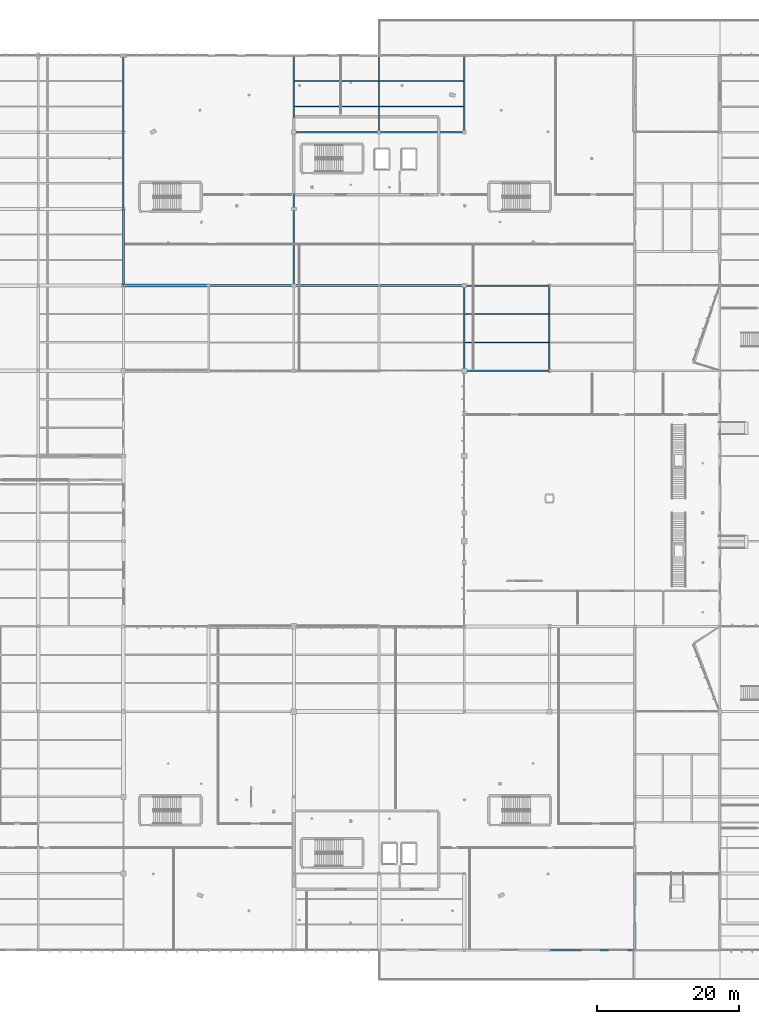
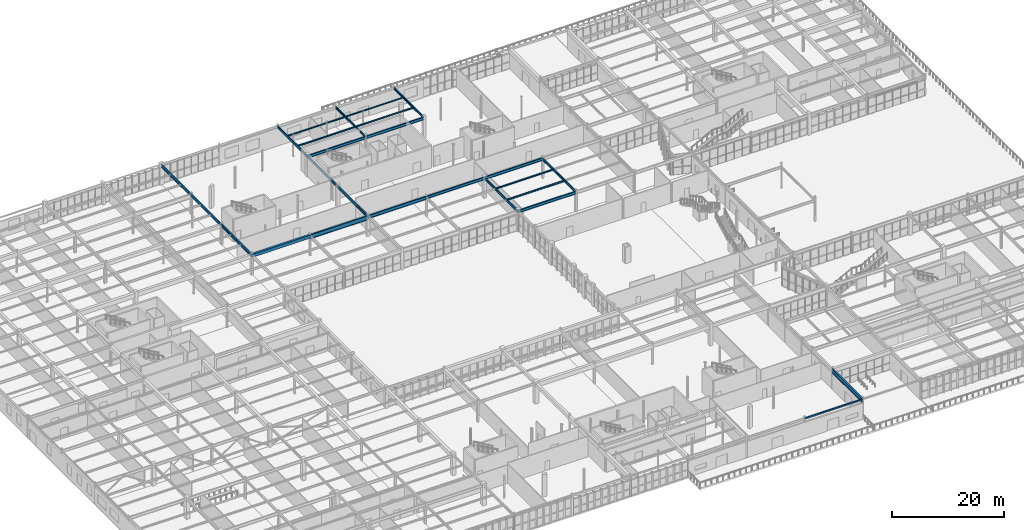
# One storey, part 87 of 199: 26 beams.
"""IFC4 building model written with IfcOpenShell, lengths in metres."""

from ifc_helpers import new_model, si_unit, direction, frame, origin, origin_2d, place, context, subcontext, project, spatial, rectangle, hollow_rectangle, i_section, extrude, material, material_profile, profile_set, type_object, element, save


model = new_model("IFC4")

# Units and contexts
model_context = context("Model", 3, precision=1e-05, world=origin(), true_north=direction((0.0, 1.0)))
body_context = subcontext(model_context, "Body", "Model", "MODEL_VIEW")
ifc_project = project(units=[si_unit("LENGTHUNIT", "METRE"), si_unit("AREAUNIT", "SQUARE_METRE"), si_unit("VOLUMEUNIT", "CUBIC_METRE"), si_unit("PLANEANGLEUNIT", "RADIAN"), si_unit("MASSUNIT", "GRAM", prefix="KILO")], contexts=[model_context])

# Site, building, storey
site_placement = place(None, origin())
site = spatial("IfcSite", under=ifc_project, at=site_placement, CompositionType="ELEMENT")
building_placement = place(site_placement, origin())
building = spatial("IfcBuilding", under=site, at=building_placement, Name="Tarnwether General Hospital", CompositionType="ELEMENT")
storey_placement = place(building_placement, origin())
storey = spatial("IfcBuildingStorey", under=building, at=storey_placement, Name="L00", CompositionType="ELEMENT", Elevation=0.0)

# Beams
ifc_material_1 = material(Name="Steel Grade 350 (350 MPa)", Category="steel")
ifc_material_profile_1 = material_profile(ifc_material_1, i_section(OverallWidth=0.300048828125, OverallDepth=0.89990234375, WebThickness=0.011962890625, FlangeThickness=0.02001953125, at=origin_2d()), Name="900WB175")
ifc_profile_set_1 = profile_set([ifc_material_profile_1], Name="Steel Grade 350 (350 MPa)")
beam_type_1 = type_object("IfcBeamType", Name="BM-G01", PredefinedType="BEAM", material=ifc_profile_set_1)
beam_1_placement = place(storey_placement, frame((72.0, 93.60009765625, 3.9951171875), z_axis=(1.0, 0.0, 0.0), x_axis=(0.0, 1.0, 0.0)))
element("IfcBeam", 1, at=beam_1_placement, inside=storey, type_object=beam_type_1, Name="Primary Girder BMG-L00-7200_9360-8400_9360-0715", PredefinedType="BEAM", context=body_context, shape_type="SweptSolid", body=[
    extrude(i_section(OverallWidth=0.300048828125, OverallDepth=0.89990234375, WebThickness=0.011962890625, FlangeThickness=0.02001953125, at=origin_2d()), origin(), (0.0, 0.0, 1.0), 12.0),
])
beam_2_placement = place(storey_placement, frame((132.0, 0.0, 3.9951171875), z_axis=(0.0, 1.0, 0.0), x_axis=(-1.0, 0.0, 0.0)))
element("IfcBeam", 2, at=beam_2_placement, inside=storey, type_object=beam_type_1, Name="Primary Girder BMG-L00-13200_0-13200_1080-0767", PredefinedType="BEAM", context=body_context, shape_type="SweptSolid", body=[
    extrude(i_section(OverallWidth=0.300048828125, OverallDepth=0.89990234375, WebThickness=0.011962890625, FlangeThickness=0.02001953125, at=origin_2d()), origin(), (0.0, 0.0, 1.0), 10.800048828125),
])
ifc_material_2 = material(Name="Steel Grade 350 (350 MPa)", Category="steel")
ifc_material_profile_2 = material_profile(ifc_material_2, i_section(OverallWidth=0.25, OverallDepth=0.69189453125, WebThickness=0.009033203125, FlangeThickness=0.01611328125, at=origin_2d()), Name="700WB115")
ifc_profile_set_2 = profile_set([ifc_material_profile_2], Name="Steel Grade 350 (350 MPa)")
beam_type_2 = type_object("IfcBeamType", Name="BM-G02", PredefinedType="BEAM", material=ifc_profile_set_2)
beam_3_placement = place(storey_placement, frame((84.0, 93.60009765625, 4.09912109375), z_axis=(1.0, 0.0, 0.0), x_axis=(0.0, 1.0, 0.0)))
element("IfcBeam", 3, at=beam_3_placement, inside=storey, type_object=beam_type_2, Name="Primary Girder BMG-L00-8400_9360-9600_9360-0727", PredefinedType="BEAM", context=body_context, shape_type="SweptSolid", body=[
    extrude(i_section(OverallWidth=0.25, OverallDepth=0.69189453125, WebThickness=0.009033203125, FlangeThickness=0.01611328125, at=origin_2d()), origin(), (0.0, 0.0, 1.0), 12.0),
])
ifc_material_3 = material(Name="Steel Grade 350 (350 MPa)", Category="steel")
ifc_material_profile_3 = material_profile(ifc_material_3, i_section(OverallWidth=0.22900390625, OverallDepth=0.612060546875, WebThickness=0.011962890625, FlangeThickness=0.01953125, at=origin_2d()), Name="610UB125")
ifc_profile_set_3 = profile_set([ifc_material_profile_3], Name="Steel Grade 350 (350 MPa)")
beam_type_3 = type_object("IfcBeamType", Name="BM-G03", PredefinedType="BEAM", material=ifc_profile_set_3)
beam_4_placement = place(storey_placement, frame((60.0, 93.60009765625, 4.138916015625), z_axis=(0.0, 1.0, 0.0), x_axis=(-1.0, 0.0, 0.0)))
element("IfcBeam", 4, at=beam_4_placement, inside=storey, type_object=beam_type_3, Name="Primary Girder BMG-L00-6000_9360-6000_10440-0705", PredefinedType="BEAM", context=body_context, shape_type="SweptSolid", body=[
    extrude(i_section(OverallWidth=0.22900390625, OverallDepth=0.612060546875, WebThickness=0.011962890625, FlangeThickness=0.01953125, at=origin_2d()), origin(), (0.0, 0.0, 1.0), 10.7998046875),
])
for number, where, z_axis, x_axis, name in (
    (5, (96.0, 93.60009765625, 4.138916015625), (1.0, 0.0, 0.0), (0.0, 1.0, 0.0), "Primary Girder BMG-L00-9600_9360-10800_9360-0741"),
    (6, (108.0, 81.60009765625, 4.138916015625), (1.0, 0.0, 0.0), (0.0, 1.0, 0.0), "Primary Girder BMG-L00-10800_8160-12000_8160-0753"),
):
    element("IfcBeam", number, at=place(storey_placement, frame(where, z_axis=z_axis, x_axis=x_axis)), inside=storey, type_object=beam_type_3, Name=name, PredefinedType="BEAM", context=body_context, shape_type="SweptSolid", body=[
        extrude(i_section(OverallWidth=0.22900390625, OverallDepth=0.612060546875, WebThickness=0.011962890625, FlangeThickness=0.01953125, at=origin_2d()), origin(), (0.0, 0.0, 1.0), 12.0),
    ])
ifc_material_4 = material(Name="Steel Grade 350 (350 MPa)", Category="steel")
ifc_material_profile_4 = material_profile(ifc_material_4, i_section(OverallWidth=0.22802734375, OverallDepth=0.60693359375, WebThickness=0.01123046875, FlangeThickness=0.017333984375, at=origin_2d()), Name="610UB113")
ifc_profile_set_4 = profile_set([ifc_material_profile_4], Name="Steel Grade 350 (350 MPa)")
beam_type_4 = type_object("IfcBeamType", Name="BM-G04", PredefinedType="BEAM", material=ifc_profile_set_4)
beam_5_placement = place(storey_placement, frame((60.0, 104.39990234375, 4.1416015625), z_axis=(0.0, 1.0, 0.0), x_axis=(-1.0, 0.0, 0.0)))
element("IfcBeam", 7, at=beam_5_placement, inside=storey, type_object=beam_type_4, Name="Primary Girder BMG-L00-6000_10440-6000_11520-0706", PredefinedType="BEAM", context=body_context, shape_type="SweptSolid", body=[
    extrude(i_section(OverallWidth=0.22802734375, OverallDepth=0.60693359375, WebThickness=0.01123046875, FlangeThickness=0.017333984375, at=origin_2d()), origin(), (0.0, 0.0, 1.0), 10.800048828125),
])
for number, where, z_axis, x_axis, name in (
    (8, (84.0, 115.199951171875, 4.1416015625), (1.0, 0.0, 0.0), (0.0, 1.0, 0.0), "Primary Girder BMG-L00-8400_11520-9600_11520-0730"),
    (9, (108.0, 93.60009765625, 4.1416015625), (1.0, 0.0, 0.0), (0.0, 1.0, 0.0), "Primary Girder BMG-L00-10800_9360-12000_9360-0755"),
):
    element("IfcBeam", number, at=place(storey_placement, frame(where, z_axis=z_axis, x_axis=x_axis)), inside=storey, type_object=beam_type_4, Name=name, PredefinedType="BEAM", context=body_context, shape_type="SweptSolid", body=[
        extrude(i_section(OverallWidth=0.22802734375, OverallDepth=0.60693359375, WebThickness=0.01123046875, FlangeThickness=0.017333984375, at=origin_2d()), origin(), (0.0, 0.0, 1.0), 12.0),
    ])
ifc_material_5 = material(Name="Steel Grade 350 (350 MPa)", Category="steel")
ifc_material_profile_5 = material_profile(ifc_material_5, i_section(OverallWidth=0.22802734375, OverallDepth=0.60205078125, WebThickness=0.010498046875, FlangeThickness=0.014892578125, at=origin_2d()), Name="610UB101")
ifc_profile_set_5 = profile_set([ifc_material_profile_5], Name="Steel Grade 350 (350 MPa)")
beam_type_5 = type_object("IfcBeamType", Name="BM-G05", PredefinedType="BEAM", material=ifc_profile_set_5)
beam_6_placement = place(storey_placement, frame((60.0, 115.199951171875, 4.14404296875), z_axis=(0.0, 1.0, 0.0), x_axis=(-1.0, 0.0, 0.0)))
element("IfcBeam", 10, at=beam_6_placement, inside=storey, type_object=beam_type_5, Name="Primary Girder BMG-L00-6000_11520-6000_12600-0707", PredefinedType="BEAM", context=body_context, shape_type="SweptSolid", body=[
    extrude(i_section(OverallWidth=0.22802734375, OverallDepth=0.60205078125, WebThickness=0.010498046875, FlangeThickness=0.014892578125, at=origin_2d()), origin(), (0.0, 0.0, 1.0), 10.800048828125),
])
beam_7_placement = place(storey_placement, frame((84.0, 93.60009765625, 4.14404296875), z_axis=(0.0, 1.0, 0.0), x_axis=(-1.0, 0.0, 0.0)))
element("IfcBeam", 11, at=beam_7_placement, inside=storey, type_object=beam_type_5, Name="Primary Girder BMG-L00-8400_9360-8400_10440-0728", PredefinedType="BEAM", context=body_context, shape_type="SweptSolid", body=[
    extrude(i_section(OverallWidth=0.22802734375, OverallDepth=0.60205078125, WebThickness=0.010498046875, FlangeThickness=0.014892578125, at=origin_2d()), origin(), (0.0, 0.0, 1.0), 10.7998046875),
])
beam_8_placement = place(storey_placement, frame((96.0, 115.199951171875, 4.14404296875), z_axis=(1.0, 0.0, 0.0), x_axis=(0.0, 1.0, 0.0)))
element("IfcBeam", 12, at=beam_8_placement, inside=storey, type_object=beam_type_5, Name="Primary Girder BMG-L00-9600_11520-10800_11520-0742", PredefinedType="BEAM", context=body_context, shape_type="SweptSolid", body=[
    extrude(i_section(OverallWidth=0.22802734375, OverallDepth=0.60205078125, WebThickness=0.010498046875, FlangeThickness=0.014892578125, at=origin_2d()), origin(), (0.0, 0.0, 1.0), 12.0),
])
ifc_material_6 = material(Name="Steel Grade 350 (350 MPa)", Category="steel")
ifc_material_profile_6 = material_profile(ifc_material_6, i_section(OverallWidth=0.208984375, OverallDepth=0.532958984375, WebThickness=0.01025390625, FlangeThickness=0.015625, at=origin_2d()), Name="530UB92.4")
ifc_profile_set_6 = profile_set([ifc_material_profile_6], Name="Steel Grade 350 (350 MPa)")
beam_type_6 = type_object("IfcBeamType", Name="BM-G06", PredefinedType="BEAM", material=ifc_profile_set_6)
beam_9_placement = place(storey_placement, frame((84.0, 104.39990234375, 4.178466796875), z_axis=(0.0, 1.0, 0.0), x_axis=(-1.0, 0.0, 0.0)))
element("IfcBeam", 13, at=beam_9_placement, inside=storey, type_object=beam_type_6, Name="Primary Girder BMG-L00-8400_10440-8400_11520-0729", PredefinedType="BEAM", context=body_context, shape_type="SweptSolid", body=[
    extrude(i_section(OverallWidth=0.208984375, OverallDepth=0.532958984375, WebThickness=0.01025390625, FlangeThickness=0.015625, at=origin_2d()), origin(), (0.0, 0.0, 1.0), 10.800048828125),
])
beam_10_placement = place(storey_placement, frame((108.0, 81.60009765625, 4.178466796875), z_axis=(0.0, 1.0, 0.0), x_axis=(-1.0, 0.0, 0.0)))
element("IfcBeam", 14, at=beam_10_placement, inside=storey, type_object=beam_type_6, Name="Primary Girder BMG-L00-10800_8160-10800_9360-0754", PredefinedType="BEAM", context=body_context, shape_type="SweptSolid", body=[
    extrude(i_section(OverallWidth=0.208984375, OverallDepth=0.532958984375, WebThickness=0.01025390625, FlangeThickness=0.015625, at=origin_2d()), origin(), (0.0, 0.0, 1.0), 12.0),
])
ifc_material_7 = material(Name="Steel Grade 350 (350 MPa)", Category="steel")
ifc_material_profile_7 = material_profile(ifc_material_7, i_section(OverallWidth=0.208984375, OverallDepth=0.528076171875, WebThickness=0.009521484375, FlangeThickness=0.01318359375, at=origin_2d()), Name="530UB82.0")
ifc_profile_set_7 = profile_set([ifc_material_profile_7], Name="Steel Grade 350 (350 MPa)")
beam_type_7 = type_object("IfcBeamType", Name="BM-G07", PredefinedType="BEAM", material=ifc_profile_set_7)
beam_11_placement = place(storey_placement, frame((84.0, 115.199951171875, 4.180908203125), z_axis=(0.0, 1.0, 0.0), x_axis=(-1.0, 0.0, 0.0)))
element("IfcBeam", 15, at=beam_11_placement, inside=storey, type_object=beam_type_7, Name="Primary Girder BMG-L00-8400_11520-8400_12600-0731", PredefinedType="BEAM", context=body_context, shape_type="SweptSolid", body=[
    extrude(i_section(OverallWidth=0.208984375, OverallDepth=0.528076171875, WebThickness=0.009521484375, FlangeThickness=0.01318359375, at=origin_2d()), origin(), (0.0, 0.0, 1.0), 10.800048828125),
])
beam_12_placement = place(storey_placement, frame((120.0, 81.60009765625, 4.180908203125), z_axis=(0.0, 1.0, 0.0), x_axis=(-1.0, 0.0, 0.0)))
element("IfcBeam", 16, at=beam_12_placement, inside=storey, type_object=beam_type_7, Name="Primary Girder BMG-L00-12000_8160-12000_9360-0763", PredefinedType="BEAM", context=body_context, shape_type="SweptSolid", body=[
    extrude(i_section(OverallWidth=0.208984375, OverallDepth=0.528076171875, WebThickness=0.009521484375, FlangeThickness=0.01318359375, at=origin_2d()), origin(), (0.0, 0.0, 1.0), 12.0),
])
ifc_material_8 = material(Name="Steel Grade 350 (350 MPa)", Category="steel")
ifc_material_profile_8 = material_profile(ifc_material_8, i_section(OverallWidth=0.19091796875, OverallDepth=0.4599609375, WebThickness=0.010009765625, FlangeThickness=0.01611328125, at=origin_2d()), Name="460UB82.1")
ifc_profile_set_8 = profile_set([ifc_material_profile_8], Name="Steel Grade 350 (350 MPa)")
beam_type_8 = type_object("IfcBeamType", Name="BM-G08", PredefinedType="BEAM", material=ifc_profile_set_8)
beam_13_placement = place(storey_placement, frame((96.0, 115.199951171875, 4.215087890625), z_axis=(0.0, 1.0, 0.0), x_axis=(-1.0, 0.0, 0.0)))
element("IfcBeam", 17, at=beam_13_placement, inside=storey, type_object=beam_type_8, Name="Primary Girder BMG-L00-9600_11520-9600_12600-0743", PredefinedType="BEAM", context=body_context, shape_type="SweptSolid", body=[
    extrude(i_section(OverallWidth=0.19091796875, OverallDepth=0.4599609375, WebThickness=0.010009765625, FlangeThickness=0.01611328125, at=origin_2d()), origin(), (0.0, 0.0, 1.0), 10.800048828125),
])
ifc_material_9 = material(Name="Steel Grade 350 (350 MPa)", Category="steel")
ifc_material_profile_9 = material_profile(ifc_material_9, i_section(OverallWidth=0.18994140625, OverallDepth=0.45703125, WebThickness=0.009033203125, FlangeThickness=0.014404296875, at=origin_2d()), Name="460UB74.6")
ifc_profile_set_9 = profile_set([ifc_material_profile_9], Name="Steel Grade 350 (350 MPa)")
beam_type_9 = type_object("IfcBeamType", Name="BM-G09", PredefinedType="BEAM", material=ifc_profile_set_9)
beam_14_placement = place(storey_placement, frame((108.0, 115.199951171875, 4.216552734375), z_axis=(0.0, 1.0, 0.0), x_axis=(-1.0, 0.0, 0.0)))
element("IfcBeam", 18, at=beam_14_placement, inside=storey, type_object=beam_type_9, Name="Primary Girder BMG-L00-10800_11520-10800_12600-0756", PredefinedType="BEAM", context=body_context, shape_type="SweptSolid", body=[
    extrude(i_section(OverallWidth=0.18994140625, OverallDepth=0.45703125, WebThickness=0.009033203125, FlangeThickness=0.014404296875, at=origin_2d()), origin(), (0.0, 0.0, 1.0), 10.800048828125),
])
ifc_material_10 = material(Name="Concrete 40 MPa", Category="concrete")
ifc_material_profile_10 = material_profile(ifc_material_10, rectangle(XDim=0.39990234375, YDim=0.64990234375, at=origin_2d()), Name="RC-BM-400x650")
ifc_profile_set_10 = profile_set([ifc_material_profile_10], Name="Concrete 40 MPa")
beam_type_10 = type_object("IfcBeamType", Name="BM-G14", PredefinedType="BEAM", material=ifc_profile_set_10)
beam_15_placement = place(storey_placement, frame((60.0, 93.60009765625, 4.1201171875), z_axis=(1.0, 0.0, 0.0), x_axis=(0.0, 1.0, 0.0)))
element("IfcBeam", 19, at=beam_15_placement, inside=storey, type_object=beam_type_10, Name="Primary Girder BMG-L00-6000_9360-7200_9360-0704", PredefinedType="BEAM", context=body_context, shape_type="SweptSolid", body=[
    extrude(rectangle(XDim=0.39990234375, YDim=0.64990234375, at=origin_2d()), origin(), (0.0, 0.0, 1.0), 12.0),
])
ifc_material_11 = material(Name="Steel Grade 350 (350 MPa)", Category="steel")
ifc_material_profile_11 = material_profile(ifc_material_11, i_section(OverallWidth=0.1708984375, OverallDepth=0.35205078125, WebThickness=0.0068359375, FlangeThickness=0.009765625, at=origin_2d()), Name="360UB44.7")
ifc_profile_set_11 = profile_set([ifc_material_profile_11], Name="Steel Grade 350 (350 MPa)")
beam_type_11 = type_object("IfcBeamType", Name="BM-J06", PredefinedType="JOIST", material=ifc_profile_set_11)
beam_16_placement = place(storey_placement, frame((108.09912109375, 85.60009765625, 4.26904296875), z_axis=(1.0, 0.0, 0.0), x_axis=(0.0, 1.0, 0.0)))
element("IfcBeam", 20, at=beam_16_placement, inside=storey, type_object=beam_type_11, Name="Composite Floor Joist BMG-L00-10810_8560-11990_8560-0991", PredefinedType="JOIST", context=body_context, shape_type="SweptSolid", body=[
    extrude(i_section(OverallWidth=0.1708984375, OverallDepth=0.35205078125, WebThickness=0.0068359375, FlangeThickness=0.009765625, at=origin_2d()), origin(), (0.0, 0.0, 1.0), 11.8017578125),
])
ifc_material_12 = material(Name="Steel Grade 350 (350 MPa)", Category="steel")
ifc_material_profile_12 = material_profile(ifc_material_12, i_section(OverallWidth=0.1650390625, OverallDepth=0.303955078125, WebThickness=0.006103515625, FlangeThickness=0.01025390625, at=origin_2d()), Name="310UB40.4")
ifc_profile_set_12 = profile_set([ifc_material_profile_12], Name="Steel Grade 350 (350 MPa)")
beam_type_12 = type_object("IfcBeamType", Name="BM-J07", PredefinedType="JOIST", material=ifc_profile_set_12)
beam_17_placement = place(storey_placement, frame((84.09912109375, 118.800048828125, 4.29296875), z_axis=(1.0, 0.0, 0.0), x_axis=(0.0, 1.0, 0.0)))
element("IfcBeam", 21, at=beam_17_placement, inside=storey, type_object=beam_type_12, Name="Composite Floor Joist BMG-L00-8410_11880-9591_11880-0979", PredefinedType="JOIST", context=body_context, shape_type="SweptSolid", body=[
    extrude(i_section(OverallWidth=0.1650390625, OverallDepth=0.303955078125, WebThickness=0.006103515625, FlangeThickness=0.01025390625, at=origin_2d()), origin(), (0.0, 0.0, 1.0), 11.810791015625),
])
beam_18_placement = place(storey_placement, frame((108.09912109375, 89.60009765625, 4.29296875), z_axis=(1.0, 0.0, 0.0), x_axis=(0.0, 1.0, 0.0)))
element("IfcBeam", 22, at=beam_18_placement, inside=storey, type_object=beam_type_12, Name="Composite Floor Joist BMG-L00-10810_8960-11990_8960-0992", PredefinedType="JOIST", context=body_context, shape_type="SweptSolid", body=[
    extrude(i_section(OverallWidth=0.1650390625, OverallDepth=0.303955078125, WebThickness=0.006103515625, FlangeThickness=0.01025390625, at=origin_2d()), origin(), (0.0, 0.0, 1.0), 11.8017578125),
])
ifc_material_13 = material(Name="Steel Grade 350 (350 MPa)", Category="steel")
ifc_material_profile_13 = material_profile(ifc_material_13, i_section(OverallWidth=0.14892578125, OverallDepth=0.298095703125, WebThickness=0.005615234375, FlangeThickness=0.008056640625, at=origin_2d()), Name="310UB32.0")
ifc_profile_set_13 = profile_set([ifc_material_profile_13], Name="Steel Grade 350 (350 MPa)")
beam_type_13 = type_object("IfcBeamType", Name="BM-J08", PredefinedType="JOIST", material=ifc_profile_set_13)
beam_19_placement = place(storey_placement, frame((84.09912109375, 122.39990234375, 4.2958984375), z_axis=(1.0, 0.0, 0.0), x_axis=(0.0, 1.0, 0.0)))
element("IfcBeam", 23, at=beam_19_placement, inside=storey, type_object=beam_type_13, Name="Composite Floor Joist BMG-L00-8410_12240-9591_12240-0980", PredefinedType="JOIST", context=body_context, shape_type="SweptSolid", body=[
    extrude(i_section(OverallWidth=0.14892578125, OverallDepth=0.298095703125, WebThickness=0.005615234375, FlangeThickness=0.008056640625, at=origin_2d()), origin(), (0.0, 0.0, 1.0), 11.810791015625),
])
beam_20_placement = place(storey_placement, frame((96.090087890625, 118.800048828125, 4.2958984375), z_axis=(1.0, 0.0, 0.0), x_axis=(0.0, 1.0, 0.0)))
element("IfcBeam", 24, at=beam_20_placement, inside=storey, type_object=beam_type_13, Name="Composite Floor Joist BMG-L00-9609_11880-10791_11880-0987", PredefinedType="JOIST", context=body_context, shape_type="SweptSolid", body=[
    extrude(i_section(OverallWidth=0.14892578125, OverallDepth=0.298095703125, WebThickness=0.005615234375, FlangeThickness=0.008056640625, at=origin_2d()), origin(), (0.0, 0.0, 1.0), 11.82080078125),
])
ifc_material_14 = material(Name="Steel Grade 350 (350 MPa)", Category="steel")
ifc_material_profile_14 = material_profile(ifc_material_14, i_section(OverallWidth=0.14599609375, OverallDepth=0.256103515625, WebThickness=0.00634765625, FlangeThickness=0.010986328125, at=origin_2d()), Name="250UB37.3")
ifc_profile_set_14 = profile_set([ifc_material_profile_14], Name="Steel Grade 350 (350 MPa)")
beam_type_14 = type_object("IfcBeamType", Name="BM-J09", PredefinedType="JOIST", material=ifc_profile_set_14)
beam_21_placement = place(storey_placement, frame((96.090087890625, 122.39990234375, 4.31689453125), z_axis=(1.0, 0.0, 0.0), x_axis=(0.0, 1.0, 0.0)))
element("IfcBeam", 25, at=beam_21_placement, inside=storey, type_object=beam_type_14, Name="Composite Floor Joist BMG-L00-9609_12240-10791_12240-0988", PredefinedType="JOIST", context=body_context, shape_type="SweptSolid", body=[
    extrude(i_section(OverallWidth=0.14599609375, OverallDepth=0.256103515625, WebThickness=0.00634765625, FlangeThickness=0.010986328125, at=origin_2d()), origin(), (0.0, 0.0, 1.0), 11.82080078125),
])
ifc_material_15 = material(Name="Steel Grade C350L0 (350 MPa)", Category="steel")
ifc_material_profile_15 = material_profile(ifc_material_15, hollow_rectangle(XDim=0.199951171875, YDim=0.300048828125, WallThickness=0.012451171875, at=origin_2d()), Name="RHS300x200x12.5")
ifc_profile_set_15 = profile_set([ifc_material_profile_15], Name="Steel Grade C350L0 (350 MPa)")
beam_type_15 = type_object("IfcBeamType", Name="BM-SP3", PredefinedType="SPANDREL", material=ifc_profile_set_15)
beam_22_placement = place(storey_placement, frame((120.0, 0.0, 4.294921875), z_axis=(1.0, 0.0, 0.0), x_axis=(0.0, 1.0, 0.0)))
element("IfcBeam", 26, at=beam_22_placement, inside=storey, type_object=beam_type_15, Name="Primary Girder BMG-L00-12000_0-13200_0-0758", PredefinedType="SPANDREL", context=body_context, shape_type="SweptSolid", body=[
    extrude(hollow_rectangle(XDim=0.199951171875, YDim=0.300048828125, WallThickness=0.012451171875, at=origin_2d()), origin(), (0.0, 0.0, 1.0), 12.0),
])

save(model, "model.ifc")
